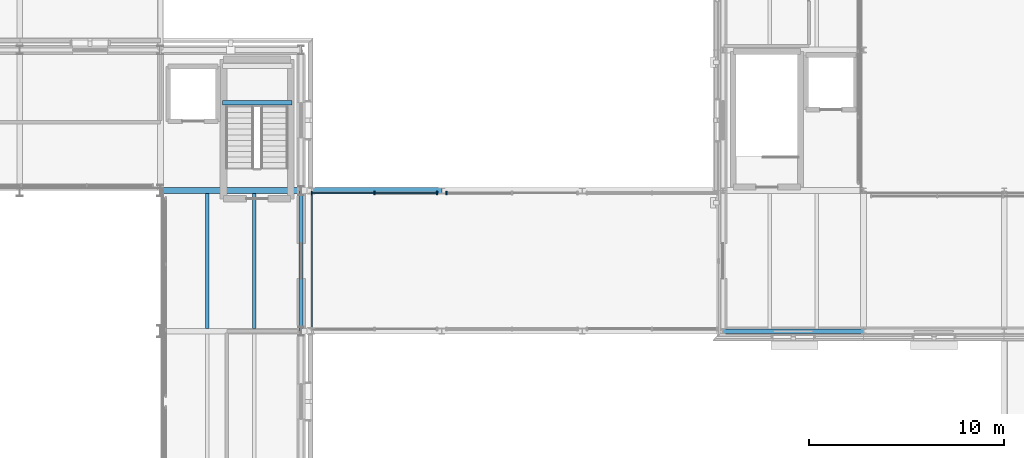
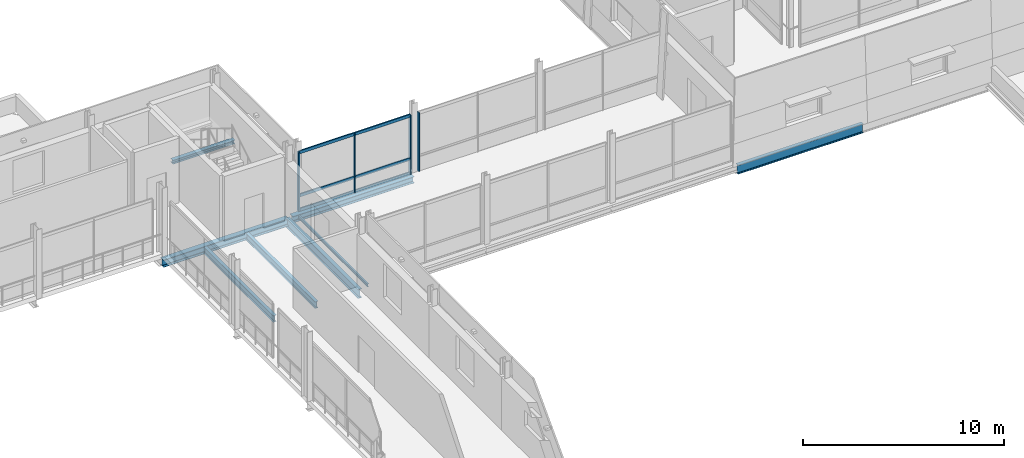
# One storey, part 33 of 115: 8 beams, 7 members, 2 elements without a shape of their own.
"""IFC4 building model written with IfcOpenShell, lengths in metres."""

from ifc_helpers import new_model, si_unit, direction, frame, origin, origin_2d, place, context, subcontext, project, spatial, rectangle, i_section, extrude, material, layer, layer_set, material_profile, profile_set, type_object, element, aggregate, save


model = new_model("IFC4")

# Units and contexts
model_context = context("Model", 3, precision=1e-05, world=origin(), true_north=direction((0.0, 1.0)))
body_context = subcontext(model_context, "Body", "Model", "MODEL_VIEW")
ifc_project = project(units=[si_unit("LENGTHUNIT", "METRE"), si_unit("AREAUNIT", "SQUARE_METRE"), si_unit("VOLUMEUNIT", "CUBIC_METRE"), si_unit("PLANEANGLEUNIT", "RADIAN"), si_unit("MASSUNIT", "GRAM", prefix="KILO")], contexts=[model_context])

# Site, building, storey
site_placement = place(None, origin())
site = spatial("IfcSite", under=ifc_project, at=site_placement, CompositionType="ELEMENT")
building_placement = place(site_placement, origin())
building = spatial("IfcBuilding", under=site, at=building_placement, Name="Narikvali Park Central Library", CompositionType="ELEMENT")
storey_placement = place(building_placement, frame((0.0, 0.0, 10.199951171875)))
storey = spatial("IfcBuildingStorey", under=building, at=storey_placement, Name="L02", CompositionType="ELEMENT", Elevation=10.199951171875)

# Beams
ifc_material_1 = material(Name="Steel S355", Category="steel")
ifc_material_profile_1 = material_profile(ifc_material_1, i_section(OverallWidth=0.300048828125, OverallDepth=0.449951171875, WebThickness=0.013916015625, FlangeThickness=0.02587890625, FilletRadius=0.027099609375, at=origin_2d()), Name="HEB 450")
ifc_profile_set_1 = profile_set([ifc_material_profile_1], Name="Steel S355")
beam_type_1 = type_object("IfcBeamType", Name="Atrium Edge Girder HEB450", PredefinedType="BEAM", material=ifc_profile_set_1)
beam_1_placement = place(storey_placement, frame((93.60791015625, 86.39990234375, -0.5048828125), z_axis=(1.0, 0.0, 0.0), x_axis=(0.0, 1.0, 0.0)))
element("IfcBeam", 1, at=beam_1_placement, inside=storey, type_object=beam_type_1, Name="V1 L02 Girder X", PredefinedType="BEAM", context=body_context, shape_type="SweptSolid", body=[
    extrude(i_section(OverallWidth=0.300048828125, OverallDepth=0.449951171875, WebThickness=0.013916015625, FlangeThickness=0.02587890625, FilletRadius=0.027099609375, at=origin_2d()), origin(), (0.0, 0.0, 1.0), 7.18408203125),
])
ifc_material_profile_2 = material_profile(ifc_material_1, i_section(OverallWidth=0.300048828125, OverallDepth=0.389892578125, WebThickness=0.010986328125, FlangeThickness=0.01904296875, FilletRadius=0.027099609375, at=origin_2d()), Name="HEA 400")
ifc_profile_set_2 = profile_set([ifc_material_profile_2], Name="Steel S355")
beam_type_2 = type_object("IfcBeamType", Name="Colonnade Bridge Girder HEA400", PredefinedType="BEAM", material=ifc_profile_set_2)
beam_2_placement = place(storey_placement, frame((101.02001953125, 86.39990234375, -0.445068359375), z_axis=(1.0, 0.0, 0.0), x_axis=(0.0, 1.0, 0.0)))
element("IfcBeam", 2, at=beam_2_placement, inside=storey, type_object=beam_type_2, Name="BRG-3 L02 Sliding Bridge Girder 2-1", PredefinedType="BEAM", context=body_context, shape_type="SweptSolid", body=[
    extrude(i_section(OverallWidth=0.300048828125, OverallDepth=0.389892578125, WebThickness=0.010986328125, FlangeThickness=0.01904296875, FilletRadius=0.027099609375, at=origin_2d()), origin(), (0.0, 0.0, 1.0), 6.969970703125),
])

# Curtain wall, members
ifc_material_2 = material(Name="Anodised Bronze Aluminium", Category="aluminium")
ifc_layer = layer(ifc_material_2, 0.219970703125, Name="Anodised Bronze Aluminium")
ifc_layer_set = layer_set([ifc_layer], Name="Anodised Bronze Aluminium")
curtain_wall_type = type_object("IfcCurtainWallType", Name="Bridge Covered Passage Glazing System", PredefinedType="NOTDEFINED", material=ifc_layer_set)
curtain_wall_1_placement = place(storey_placement, origin())
curtain_wall_1 = element("IfcCurtainWall", 3, at=curtain_wall_1_placement, inside=storey, type_object=curtain_wall_type, Name="Bridge Covered Passage Glazing System CW-BRG-3-L02-N1", PredefinedType="NOTDEFINED")
ifc_material_profile_3 = material_profile(ifc_material_2, rectangle(XDim=0.074951171875, YDim=0.179931640625, at=origin_2d()), Name="CW TRANSOM 75x180")
ifc_profile_set_3 = profile_set([ifc_material_profile_3], Name="Anodised Bronze Aluminium")
member_type_1 = type_object("IfcMemberType", Name="Curtain Wall Heavy Transom 75x180", PredefinedType="USERDEFINED", material=ifc_profile_set_3)
member_1_placement = place(storey_placement, frame((101.35009765625, 86.280029296875, 0.030029296875), z_axis=(1.0, 0.0, 0.0), x_axis=(0.0, 1.0, 0.0)))
member_1 = element("IfcMember", 4, at=member_1_placement, type_object=member_type_1, Name="CW-BRG-3-L02-N1 Transom 00", ObjectType="TRANSOM", PredefinedType="USERDEFINED", context=body_context, shape_type="SweptSolid", body=[
    extrude(rectangle(XDim=0.074951171875, YDim=0.179931640625, at=origin_2d()), origin(), (0.0, 0.0, 1.0), 6.409912109375),
])
member_2_placement = place(storey_placement, frame((101.35009765625, 86.280029296875, 0.900146484375), z_axis=(1.0, 0.0, 0.0), x_axis=(0.0, 1.0, 0.0)))
member_2 = element("IfcMember", 5, at=member_2_placement, type_object=member_type_1, Name="CW-BRG-3-L02-N1 Transom 01", ObjectType="TRANSOM", PredefinedType="USERDEFINED", context=body_context, shape_type="SweptSolid", body=[
    extrude(rectangle(XDim=0.074951171875, YDim=0.179931640625, at=origin_2d()), origin(), (0.0, 0.0, 1.0), 6.409912109375),
])
member_3_placement = place(storey_placement, frame((101.35009765625, 86.280029296875, 3.52001953125), z_axis=(1.0, 0.0, 0.0), x_axis=(0.0, 1.0, 0.0)))
member_3 = element("IfcMember", 6, at=member_3_placement, type_object=member_type_1, Name="CW-BRG-3-L02-N1 Transom 02", ObjectType="TRANSOM", PredefinedType="USERDEFINED", context=body_context, shape_type="SweptSolid", body=[
    extrude(rectangle(XDim=0.074951171875, YDim=0.179931640625, at=origin_2d()), origin(), (0.0, 0.0, 1.0), 6.409912109375),
])
ifc_material_profile_4 = material_profile(ifc_material_2, rectangle(XDim=0.06494140625, YDim=0.179931640625, at=origin_2d()), Name="CW MULLION 65x180")
ifc_profile_set_4 = profile_set([ifc_material_profile_4], Name="Anodised Bronze Aluminium")
member_type_2 = type_object("IfcMemberType", Name="Curtain Wall Mullion 65x180", PredefinedType="MULLION", material=ifc_profile_set_4)
member_4_placement = place(storey_placement, frame((101.35009765625, 86.280029296875, -0.010009765625), z_axis=(0.0, 0.0, 1.0), x_axis=(1.0, 0.0, 0.0)))
member_4 = element("IfcMember", 7, at=member_4_placement, type_object=member_type_2, Name="CW-BRG-3-L02-N1 Mullion 00", PredefinedType="MULLION", context=body_context, shape_type="SweptSolid", body=[
    extrude(rectangle(XDim=0.06494140625, YDim=0.179931640625, at=origin_2d()), origin(), (0.0, 0.0, 1.0), 3.56005859375),
])
member_5_placement = place(storey_placement, frame((104.554931640625, 86.280029296875, -0.010009765625), z_axis=(0.0, 0.0, 1.0), x_axis=(1.0, 0.0, 0.0)))
member_5 = element("IfcMember", 8, at=member_5_placement, type_object=member_type_2, Name="CW-BRG-3-L02-N1 Mullion 01", PredefinedType="MULLION", context=body_context, shape_type="SweptSolid", body=[
    extrude(rectangle(XDim=0.06494140625, YDim=0.179931640625, at=origin_2d()), origin(), (0.0, 0.0, 1.0), 3.56005859375),
])
member_6_placement = place(storey_placement, frame((107.760009765625, 86.280029296875, -0.010009765625), z_axis=(0.0, 0.0, 1.0), x_axis=(1.0, 0.0, 0.0)))
member_6 = element("IfcMember", 9, at=member_6_placement, type_object=member_type_2, Name="CW-BRG-3-L02-N1 Mullion 02", PredefinedType="MULLION", context=body_context, shape_type="SweptSolid", body=[
    extrude(rectangle(XDim=0.06494140625, YDim=0.179931640625, at=origin_2d()), origin(), (0.0, 0.0, 1.0), 3.56005859375),
])
aggregate(curtain_wall_1, [member_4, member_5, member_6, member_1, member_2, member_3])

# Curtain wall, member
curtain_wall_2_placement = place(storey_placement, origin())
curtain_wall_2 = element("IfcCurtainWall", 10, at=curtain_wall_2_placement, inside=storey, type_object=curtain_wall_type, Name="Bridge Covered Passage Glazing System CW-BRG-3-L02-N2", PredefinedType="NOTDEFINED")
member_7_placement = place(storey_placement, frame((108.239990234375, 86.280029296875, -0.010009765625), z_axis=(0.0, 0.0, 1.0), x_axis=(1.0, 0.0, 0.0)))
member_7 = element("IfcMember", 11, at=member_7_placement, type_object=member_type_2, Name="CW-BRG-3-L02-N2 Mullion 00", PredefinedType="MULLION", context=body_context, shape_type="SweptSolid", body=[
    extrude(rectangle(XDim=0.06494140625, YDim=0.179931640625, at=origin_2d()), origin(), (0.0, 0.0, 1.0), 3.56005859375),
])
aggregate(curtain_wall_2, [member_7])

# Beams
ifc_material_profile_5 = material_profile(ifc_material_1, i_section(OverallWidth=0.181884765625, OverallDepth=0.404052734375, WebThickness=0.009765625, FlangeThickness=0.015380859375, FilletRadius=0.02099609375, at=origin_2d()), Name="IPEO 400")
ifc_profile_set_5 = profile_set([ifc_material_profile_5], Name="Steel S355")
beam_type_3 = type_object("IfcBeamType", Name="Gallery Floor Joist IPEO400", PredefinedType="JOIST", material=ifc_profile_set_5)
for number, where, z_axis, x_axis, name in (
    (12, (96.0, 79.35009765625, -0.48193359375), (0.0, 1.0, 0.0), (-1.0, 0.0, 0.0), "V1 L02 Composite Joist 1"),
    (13, (98.39990234375, 79.35009765625, -0.48193359375), (0.0, 1.0, 0.0), (-1.0, 0.0, 0.0), "V1 L02 Composite Joist 2"),
):
    element("IfcBeam", number, at=place(storey_placement, frame(where, z_axis=z_axis, x_axis=x_axis)), inside=storey, type_object=beam_type_3, Name=name, PredefinedType="JOIST", context=body_context, shape_type="SweptSolid", body=[
        extrude(i_section(OverallWidth=0.181884765625, OverallDepth=0.404052734375, WebThickness=0.009765625, FlangeThickness=0.015380859375, FilletRadius=0.02099609375, at=origin_2d()), origin(), (0.0, 0.0, 1.0), 6.89990234375),
    ])
ifc_material_profile_6 = material_profile(ifc_material_1, i_section(OverallWidth=0.2099609375, OverallDepth=0.550048828125, WebThickness=0.010986328125, FlangeThickness=0.01708984375, FilletRadius=0.02392578125, at=origin_2d()), Name="IPE 550")
ifc_profile_set_6 = profile_set([ifc_material_profile_6], Name="Steel S355")
beam_type_4 = type_object("IfcBeamType", Name="Perimeter Spandrel IPE550", PredefinedType="SPANDREL", material=ifc_profile_set_6)
for number, where, z_axis, x_axis, name in (
    (14, (100.800048828125, 79.2080078125, -0.554931640625), (0.0, 1.0, 0.0), (-1.0, 0.0, 0.0), "V1 L02 Girder Y"),
    (15, (122.407958984375, 79.199951171875, -0.554931640625), (1.0, 0.0, 0.0), (0.0, 1.0, 0.0), "V3 L02 Girder X"),
):
    element("IfcBeam", number, at=place(storey_placement, frame(where, z_axis=z_axis, x_axis=x_axis)), inside=storey, type_object=beam_type_4, Name=name, PredefinedType="SPANDREL", context=body_context, shape_type="SweptSolid", body=[
        extrude(i_section(OverallWidth=0.2099609375, OverallDepth=0.550048828125, WebThickness=0.010986328125, FlangeThickness=0.01708984375, FilletRadius=0.02392578125, at=origin_2d()), origin(), (0.0, 0.0, 1.0), 7.18408203125),
    ])
ifc_material_profile_7 = material_profile(ifc_material_1, i_section(OverallWidth=0.091064453125, OverallDepth=0.179931640625, WebThickness=0.00537109375, FlangeThickness=0.008056640625, FilletRadius=0.009033203125, at=origin_2d()), Name="IPE 180")
ifc_profile_set_7 = profile_set([ifc_material_profile_7], Name="Steel S355")
beam_type_5 = type_object("IfcBeamType", Name="Portal Steel Lintel IPE180", PredefinedType="LINTEL", material=ifc_profile_set_7)
beam_3_placement = place(storey_placement, frame((101.35009765625, 79.360107421875, -0.33984375), z_axis=(0.0, 1.0, 0.0), x_axis=(-1.0, 0.0, 0.0)))
element("IfcBeam", 16, at=beam_3_placement, inside=storey, type_object=beam_type_5, Name="BRG-3 L02 Portal Transverse Lintel", PredefinedType="LINTEL", context=body_context, shape_type="SweptSolid", body=[
    extrude(i_section(OverallWidth=0.091064453125, OverallDepth=0.179931640625, WebThickness=0.00537109375, FlangeThickness=0.008056640625, FilletRadius=0.009033203125, at=origin_2d()), origin(), (0.0, 0.0, 1.0), 6.8798828125),
])
ifc_material_profile_8 = material_profile(ifc_material_1, i_section(OverallWidth=0.239990234375, OverallDepth=0.22998046875, WebThickness=0.007568359375, FlangeThickness=0.011962890625, FilletRadius=0.02099609375, at=origin_2d()), Name="HEA 240")
ifc_profile_set_8 = profile_set([ifc_material_profile_8], Name="Steel S355")
beam_type_6 = type_object("IfcBeamType", Name="Primary Girder HEA240", PredefinedType="BEAM", material=ifc_profile_set_8)
beam_4_placement = place(storey_placement, frame((96.77001953125, 90.905029296875, 1.78515625), z_axis=(1.0, 0.0, 0.0), x_axis=(0.0, 1.0, 0.0)))
element("IfcBeam", 17, at=beam_4_placement, inside=storey, type_object=beam_type_6, Name="ST-02 L02 Landing Trimmer Beam 1-1", PredefinedType="BEAM", context=body_context, shape_type="SweptSolid", body=[
    extrude(i_section(OverallWidth=0.239990234375, OverallDepth=0.22998046875, WebThickness=0.007568359375, FlangeThickness=0.011962890625, FilletRadius=0.02099609375, at=origin_2d()), origin(), (0.0, 0.0, 1.0), 3.56005859375),
])

save(model, "model.ifc")
